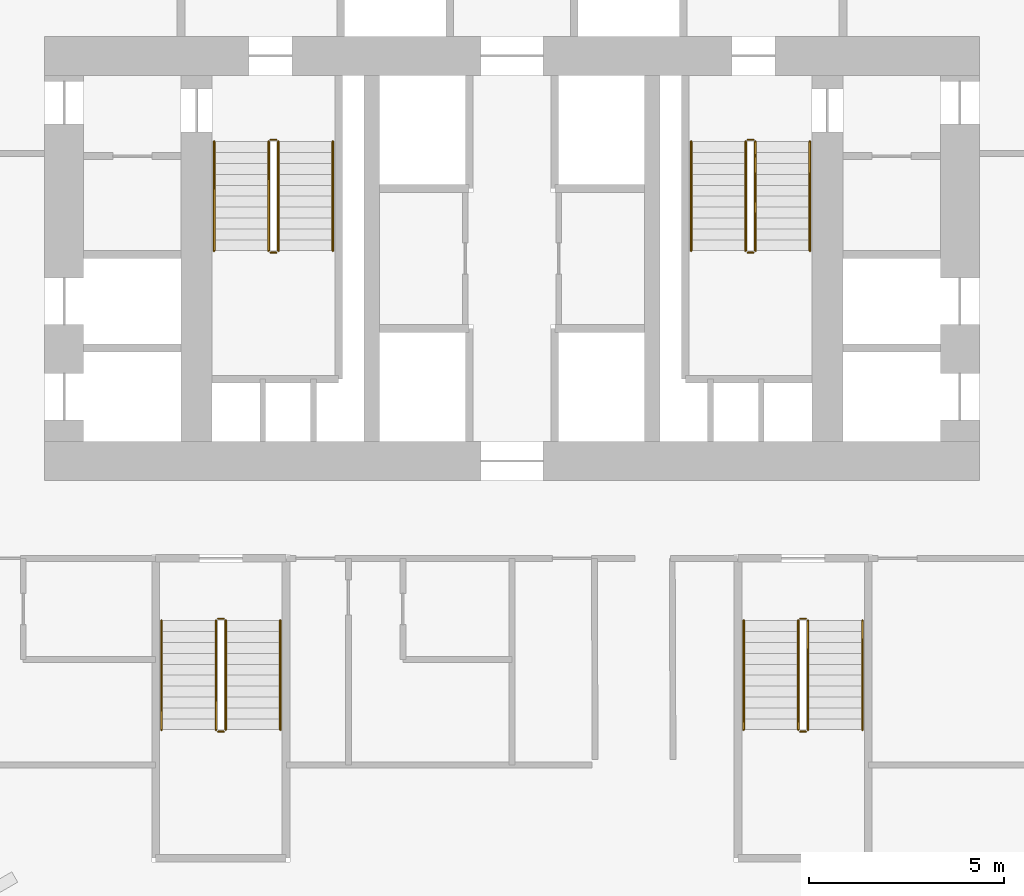
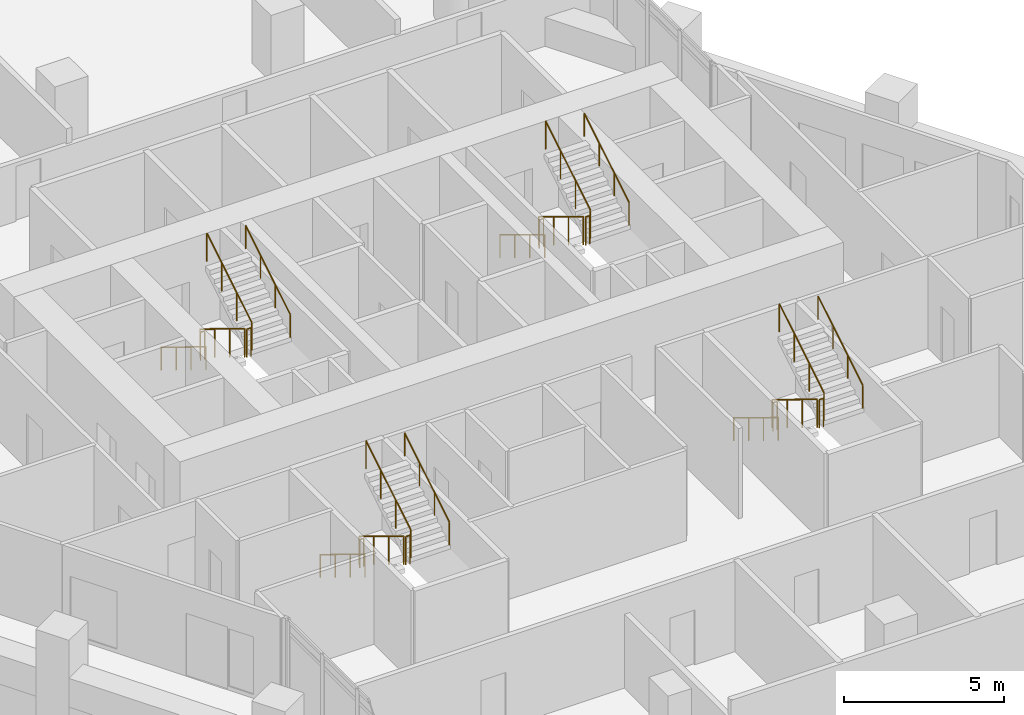
# One storey, part 37 of 37: 24 railings.
"""IFC4 building model written with IfcOpenShell, lengths in metres."""

from ifc_helpers import new_model, si_unit, direction, frame, origin, origin_2d, place, context, subcontext, project, spatial, circle, extrude, material, type_object, element, save


model = new_model("IFC4")

# Units and contexts
model_context = context("Model", 3, precision=1e-05, world=origin(), true_north=direction((0.0, 1.0)))
body_context = subcontext(model_context, "Body", "Model", "MODEL_VIEW")
ifc_project = project(units=[si_unit("LENGTHUNIT", "METRE"), si_unit("AREAUNIT", "SQUARE_METRE"), si_unit("VOLUMEUNIT", "CUBIC_METRE"), si_unit("PLANEANGLEUNIT", "RADIAN"), si_unit("MASSUNIT", "GRAM", prefix="KILO")], contexts=[model_context])

# Site, building, storey
site_placement = place(None, origin())
site = spatial("IfcSite", under=ifc_project, at=site_placement, CompositionType="ELEMENT")
building_placement = place(site_placement, origin())
building = spatial("IfcBuilding", under=site, at=building_placement, Name="Ostrander Bayou Hotel Tower", CompositionType="ELEMENT")
storey_placement = place(building_placement, frame((0.0, 0.0, 131.0)))
storey = spatial("IfcBuildingStorey", under=building, at=storey_placement, Name="L32", CompositionType="ELEMENT", Elevation=131.0)

# Railings
ifc_material_1 = material(Name="Steel ASTM A500 Gr C", Category="steel")
railing_type_1 = type_object("IfcRailingType", Name="GR1 stair guard 1100 mm steel", PredefinedType="GUARDRAIL", material=ifc_material_1)
railing_1_placement = place(storey_placement, frame((-6.25, 7.0, 0.17041015625)))
element("IfcRailing", 1, at=railing_1_placement, inside=storey, type_object=railing_type_1, Name="L32 STA stair guard 1", PredefinedType="GUARDRAIL", context=body_context, shape_type="SweptSolid", body=[
    extrude(circle(Radius=0.02392578125, at=origin_2d()), frame((0.0, 0.0, 1.076171875), z_axis=(0.0, -0.854169791009, 0.51999420009), x_axis=(1.0, 0.0, 0.0)), (0.0, 0.0, 1.0), 3.278076171875),
    extrude(circle(Radius=0.02099609375, at=origin_2d()), origin(), (0.0, 0.0, 1.0), 1.052001953125),
    extrude(circle(Radius=0.02099609375, at=origin_2d()), frame((0.0, -0.933349609375, 0.568115234375)), (0.0, 0.0, 1.0), 1.052001953125),
    extrude(circle(Radius=0.02099609375, at=origin_2d()), frame((0.0, -1.86669921875, 1.136474609375)), (0.0, 0.0, 1.0), 1.052001953125),
    extrude(circle(Radius=0.02099609375, at=origin_2d()), frame((0.0, -2.800048828125, 1.70458984375)), (0.0, 0.0, 1.0), 1.052001953125),
])
railing_2_placement = place(storey_placement, frame((-6.199951171875, 4.14990234375, 1.875)))
element("IfcRailing", 2, at=railing_2_placement, inside=storey, type_object=railing_type_1, Name="L32 STA stair guard 2", PredefinedType="GUARDRAIL", context=body_context, shape_type="SweptSolid", body=[
    extrude(circle(Radius=0.02392578125, at=origin_2d()), frame((0.0, 0.0, 1.076171875), z_axis=(1.0, 0.0, 0.0), x_axis=(0.0, 1.0, 0.0)), (0.0, 0.0, 1.0), 0.14990234375),
    extrude(circle(Radius=0.02099609375, at=origin_2d()), origin(), (0.0, 0.0, 1.0), 1.052001953125),
    extrude(circle(Radius=0.02099609375, at=origin_2d()), frame((0.14990234375, 0.0, 0.0)), (0.0, 0.0, 1.0), 1.052001953125),
])
railing_3_placement = place(storey_placement, frame((-6.0, 4.199951171875, 2.04541015625)))
element("IfcRailing", 3, at=railing_3_placement, inside=storey, type_object=railing_type_1, Name="L32 STA stair guard 3", PredefinedType="GUARDRAIL", context=body_context, shape_type="SweptSolid", body=[
    extrude(circle(Radius=0.02392578125, at=origin_2d()), frame((0.0, 0.0, 1.076171875), z_axis=(0.0, 0.854169791009, 0.51999420009), x_axis=(-1.0, 0.0, 0.0)), (0.0, 0.0, 1.0), 3.278076171875),
    extrude(circle(Radius=0.02099609375, at=origin_2d()), origin(), (0.0, 0.0, 1.0), 1.052001953125),
    extrude(circle(Radius=0.02099609375, at=origin_2d()), frame((0.0, 0.933349609375, 0.568115234375)), (0.0, 0.0, 1.0), 1.052001953125),
    extrude(circle(Radius=0.02099609375, at=origin_2d()), frame((0.0, 1.86669921875, 1.136474609375)), (0.0, 0.0, 1.0), 1.052001953125),
    extrude(circle(Radius=0.02099609375, at=origin_2d()), frame((0.0, 2.800048828125, 1.70458984375)), (0.0, 0.0, 1.0), 1.052001953125),
])
railing_4_placement = place(storey_placement, frame((-6.199951171875, 7.050048828125, 0.0)))
element("IfcRailing", 4, at=railing_4_placement, inside=storey, type_object=railing_type_1, Name="L32 STA stair guard 4", PredefinedType="GUARDRAIL", context=body_context, shape_type="SweptSolid", body=[
    extrude(circle(Radius=0.02392578125, at=origin_2d()), frame((0.0, 0.0, 1.076171875), z_axis=(1.0, 0.0, 0.0), x_axis=(0.0, 1.0, 0.0)), (0.0, 0.0, 1.0), 0.14990234375),
    extrude(circle(Radius=0.02099609375, at=origin_2d()), origin(), (0.0, 0.0, 1.0), 1.052001953125),
    extrude(circle(Radius=0.02099609375, at=origin_2d()), frame((0.14990234375, 0.0, 0.0)), (0.0, 0.0, 1.0), 1.052001953125),
])
railing_5_placement = place(storey_placement, frame((6.0, 7.0, 0.17041015625)))
element("IfcRailing", 5, at=railing_5_placement, inside=storey, type_object=railing_type_1, Name="L32 STB stair guard 1", PredefinedType="GUARDRAIL", context=body_context, shape_type="SweptSolid", body=[
    extrude(circle(Radius=0.02392578125, at=origin_2d()), frame((0.0, 0.0, 1.076171875), z_axis=(0.0, -0.854169791009, 0.51999420009), x_axis=(1.0, 0.0, 0.0)), (0.0, 0.0, 1.0), 3.278076171875),
    extrude(circle(Radius=0.02099609375, at=origin_2d()), origin(), (0.0, 0.0, 1.0), 1.052001953125),
    extrude(circle(Radius=0.02099609375, at=origin_2d()), frame((0.0, -0.933349609375, 0.568115234375)), (0.0, 0.0, 1.0), 1.052001953125),
    extrude(circle(Radius=0.02099609375, at=origin_2d()), frame((0.0, -1.86669921875, 1.136474609375)), (0.0, 0.0, 1.0), 1.052001953125),
    extrude(circle(Radius=0.02099609375, at=origin_2d()), frame((0.0, -2.800048828125, 1.70458984375)), (0.0, 0.0, 1.0), 1.052001953125),
])
railing_6_placement = place(storey_placement, frame((6.050048828125, 4.14990234375, 1.875)))
element("IfcRailing", 6, at=railing_6_placement, inside=storey, type_object=railing_type_1, Name="L32 STB stair guard 2", PredefinedType="GUARDRAIL", context=body_context, shape_type="SweptSolid", body=[
    extrude(circle(Radius=0.02392578125, at=origin_2d()), frame((0.0, 0.0, 1.076171875), z_axis=(1.0, 0.0, 0.0), x_axis=(0.0, 1.0, 0.0)), (0.0, 0.0, 1.0), 0.14990234375),
    extrude(circle(Radius=0.02099609375, at=origin_2d()), origin(), (0.0, 0.0, 1.0), 1.052001953125),
    extrude(circle(Radius=0.02099609375, at=origin_2d()), frame((0.14990234375, 0.0, 0.0)), (0.0, 0.0, 1.0), 1.052001953125),
])
railing_7_placement = place(storey_placement, frame((6.25, 4.199951171875, 2.04541015625)))
element("IfcRailing", 7, at=railing_7_placement, inside=storey, type_object=railing_type_1, Name="L32 STB stair guard 3", PredefinedType="GUARDRAIL", context=body_context, shape_type="SweptSolid", body=[
    extrude(circle(Radius=0.02392578125, at=origin_2d()), frame((0.0, 0.0, 1.076171875), z_axis=(0.0, 0.854169791009, 0.51999420009), x_axis=(-1.0, 0.0, 0.0)), (0.0, 0.0, 1.0), 3.278076171875),
    extrude(circle(Radius=0.02099609375, at=origin_2d()), origin(), (0.0, 0.0, 1.0), 1.052001953125),
    extrude(circle(Radius=0.02099609375, at=origin_2d()), frame((0.0, 0.933349609375, 0.568115234375)), (0.0, 0.0, 1.0), 1.052001953125),
    extrude(circle(Radius=0.02099609375, at=origin_2d()), frame((0.0, 1.86669921875, 1.136474609375)), (0.0, 0.0, 1.0), 1.052001953125),
    extrude(circle(Radius=0.02099609375, at=origin_2d()), frame((0.0, 2.800048828125, 1.70458984375)), (0.0, 0.0, 1.0), 1.052001953125),
])
railing_8_placement = place(storey_placement, frame((6.050048828125, 7.050048828125, 0.0)))
element("IfcRailing", 8, at=railing_8_placement, inside=storey, type_object=railing_type_1, Name="L32 STB stair guard 4", PredefinedType="GUARDRAIL", context=body_context, shape_type="SweptSolid", body=[
    extrude(circle(Radius=0.02392578125, at=origin_2d()), frame((0.0, 0.0, 1.076171875), z_axis=(1.0, 0.0, 0.0), x_axis=(0.0, 1.0, 0.0)), (0.0, 0.0, 1.0), 0.14990234375),
    extrude(circle(Radius=0.02099609375, at=origin_2d()), origin(), (0.0, 0.0, 1.0), 1.052001953125),
    extrude(circle(Radius=0.02099609375, at=origin_2d()), frame((0.14990234375, 0.0, 0.0)), (0.0, 0.0, 1.0), 1.052001953125),
])
railing_9_placement = place(storey_placement, frame((7.35009765625, -5.300048828125, 0.17041015625)))
element("IfcRailing", 9, at=railing_9_placement, inside=storey, type_object=railing_type_1, Name="L32 STC stair guard 1", PredefinedType="GUARDRAIL", context=body_context, shape_type="SweptSolid", body=[
    extrude(circle(Radius=0.02392578125, at=origin_2d()), frame((0.0, 0.0, 1.076171875), z_axis=(0.0, -0.854169791009, 0.51999420009), x_axis=(1.0, 0.0, 0.0)), (0.0, 0.0, 1.0), 3.278076171875),
    extrude(circle(Radius=0.02099609375, at=origin_2d()), origin(), (0.0, 0.0, 1.0), 1.052001953125),
    extrude(circle(Radius=0.02099609375, at=origin_2d()), frame((0.0, -0.933349609375, 0.568115234375)), (0.0, 0.0, 1.0), 1.052001953125),
    extrude(circle(Radius=0.02099609375, at=origin_2d()), frame((0.0, -1.86669921875, 1.136474609375)), (0.0, 0.0, 1.0), 1.052001953125),
    extrude(circle(Radius=0.02099609375, at=origin_2d()), frame((0.0, -2.800048828125, 1.70458984375)), (0.0, 0.0, 1.0), 1.052001953125),
])
railing_10_placement = place(storey_placement, frame((7.39990234375, -8.14990234375, 1.875)))
element("IfcRailing", 10, at=railing_10_placement, inside=storey, type_object=railing_type_1, Name="L32 STC stair guard 2", PredefinedType="GUARDRAIL", context=body_context, shape_type="SweptSolid", body=[
    extrude(circle(Radius=0.02392578125, at=origin_2d()), frame((0.0, 0.0, 1.076171875), z_axis=(1.0, 0.0, 0.0), x_axis=(0.0, 1.0, 0.0)), (0.0, 0.0, 1.0), 0.150146484375),
    extrude(circle(Radius=0.02099609375, at=origin_2d()), origin(), (0.0, 0.0, 1.0), 1.052001953125),
    extrude(circle(Radius=0.02099609375, at=origin_2d()), frame((0.150146484375, 0.0, 0.0)), (0.0, 0.0, 1.0), 1.052001953125),
])
railing_11_placement = place(storey_placement, frame((7.60009765625, -8.10009765625, 2.04541015625)))
element("IfcRailing", 11, at=railing_11_placement, inside=storey, type_object=railing_type_1, Name="L32 STC stair guard 3", PredefinedType="GUARDRAIL", context=body_context, shape_type="SweptSolid", body=[
    extrude(circle(Radius=0.02392578125, at=origin_2d()), frame((0.0, 0.0, 1.076171875), z_axis=(0.0, 0.854169791009, 0.51999420009), x_axis=(-1.0, 0.0, 0.0)), (0.0, 0.0, 1.0), 3.278076171875),
    extrude(circle(Radius=0.02099609375, at=origin_2d()), origin(), (0.0, 0.0, 1.0), 1.052001953125),
    extrude(circle(Radius=0.02099609375, at=origin_2d()), frame((0.0, 0.933349609375, 0.568115234375)), (0.0, 0.0, 1.0), 1.052001953125),
    extrude(circle(Radius=0.02099609375, at=origin_2d()), frame((0.0, 1.86669921875, 1.136474609375)), (0.0, 0.0, 1.0), 1.052001953125),
    extrude(circle(Radius=0.02099609375, at=origin_2d()), frame((0.0, 2.800048828125, 1.70458984375)), (0.0, 0.0, 1.0), 1.052001953125),
])
railing_12_placement = place(storey_placement, frame((7.39990234375, -5.25, 0.0)))
element("IfcRailing", 12, at=railing_12_placement, inside=storey, type_object=railing_type_1, Name="L32 STC stair guard 4", PredefinedType="GUARDRAIL", context=body_context, shape_type="SweptSolid", body=[
    extrude(circle(Radius=0.02392578125, at=origin_2d()), frame((0.0, 0.0, 1.076171875), z_axis=(1.0, 0.0, 0.0), x_axis=(0.0, 1.0, 0.0)), (0.0, 0.0, 1.0), 0.150146484375),
    extrude(circle(Radius=0.02099609375, at=origin_2d()), origin(), (0.0, 0.0, 1.0), 1.052001953125),
    extrude(circle(Radius=0.02099609375, at=origin_2d()), frame((0.150146484375, 0.0, 0.0)), (0.0, 0.0, 1.0), 1.052001953125),
])
railing_13_placement = place(storey_placement, frame((-7.60009765625, -5.300048828125, 0.17041015625)))
element("IfcRailing", 13, at=railing_13_placement, inside=storey, type_object=railing_type_1, Name="L32 STD stair guard 1", PredefinedType="GUARDRAIL", context=body_context, shape_type="SweptSolid", body=[
    extrude(circle(Radius=0.02392578125, at=origin_2d()), frame((0.0, 0.0, 1.076171875), z_axis=(0.0, -0.854169791009, 0.51999420009), x_axis=(1.0, 0.0, 0.0)), (0.0, 0.0, 1.0), 3.278076171875),
    extrude(circle(Radius=0.02099609375, at=origin_2d()), origin(), (0.0, 0.0, 1.0), 1.052001953125),
    extrude(circle(Radius=0.02099609375, at=origin_2d()), frame((0.0, -0.933349609375, 0.568115234375)), (0.0, 0.0, 1.0), 1.052001953125),
    extrude(circle(Radius=0.02099609375, at=origin_2d()), frame((0.0, -1.86669921875, 1.136474609375)), (0.0, 0.0, 1.0), 1.052001953125),
    extrude(circle(Radius=0.02099609375, at=origin_2d()), frame((0.0, -2.800048828125, 1.70458984375)), (0.0, 0.0, 1.0), 1.052001953125),
])
railing_14_placement = place(storey_placement, frame((-7.550048828125, -8.14990234375, 1.875)))
element("IfcRailing", 14, at=railing_14_placement, inside=storey, type_object=railing_type_1, Name="L32 STD stair guard 2", PredefinedType="GUARDRAIL", context=body_context, shape_type="SweptSolid", body=[
    extrude(circle(Radius=0.02392578125, at=origin_2d()), frame((0.0, 0.0, 1.076171875), z_axis=(1.0, 0.0, 0.0), x_axis=(0.0, 1.0, 0.0)), (0.0, 0.0, 1.0), 0.150146484375),
    extrude(circle(Radius=0.02099609375, at=origin_2d()), origin(), (0.0, 0.0, 1.0), 1.052001953125),
    extrude(circle(Radius=0.02099609375, at=origin_2d()), frame((0.150146484375, 0.0, 0.0)), (0.0, 0.0, 1.0), 1.052001953125),
])
railing_15_placement = place(storey_placement, frame((-7.35009765625, -8.10009765625, 2.04541015625)))
element("IfcRailing", 15, at=railing_15_placement, inside=storey, type_object=railing_type_1, Name="L32 STD stair guard 3", PredefinedType="GUARDRAIL", context=body_context, shape_type="SweptSolid", body=[
    extrude(circle(Radius=0.02392578125, at=origin_2d()), frame((0.0, 0.0, 1.076171875), z_axis=(0.0, 0.854169791009, 0.51999420009), x_axis=(-1.0, 0.0, 0.0)), (0.0, 0.0, 1.0), 3.278076171875),
    extrude(circle(Radius=0.02099609375, at=origin_2d()), origin(), (0.0, 0.0, 1.0), 1.052001953125),
    extrude(circle(Radius=0.02099609375, at=origin_2d()), frame((0.0, 0.933349609375, 0.568115234375)), (0.0, 0.0, 1.0), 1.052001953125),
    extrude(circle(Radius=0.02099609375, at=origin_2d()), frame((0.0, 1.86669921875, 1.136474609375)), (0.0, 0.0, 1.0), 1.052001953125),
    extrude(circle(Radius=0.02099609375, at=origin_2d()), frame((0.0, 2.800048828125, 1.70458984375)), (0.0, 0.0, 1.0), 1.052001953125),
])
railing_16_placement = place(storey_placement, frame((-7.550048828125, -5.25, 0.0)))
element("IfcRailing", 16, at=railing_16_placement, inside=storey, type_object=railing_type_1, Name="L32 STD stair guard 4", PredefinedType="GUARDRAIL", context=body_context, shape_type="SweptSolid", body=[
    extrude(circle(Radius=0.02392578125, at=origin_2d()), frame((0.0, 0.0, 1.076171875), z_axis=(1.0, 0.0, 0.0), x_axis=(0.0, 1.0, 0.0)), (0.0, 0.0, 1.0), 0.150146484375),
    extrude(circle(Radius=0.02099609375, at=origin_2d()), origin(), (0.0, 0.0, 1.0), 1.052001953125),
    extrude(circle(Radius=0.02099609375, at=origin_2d()), frame((0.150146484375, 0.0, 0.0)), (0.0, 0.0, 1.0), 1.052001953125),
])
ifc_material_2 = material(Name="Steel ASTM A500 Gr C", Category="steel")
railing_type_2 = type_object("IfcRailingType", Name="HR1 stair handrail 900 mm steel", PredefinedType="HANDRAIL", material=ifc_material_2)
railing_17_placement = place(storey_placement, frame((-7.64990234375, 7.0, 0.17041015625)))
element("IfcRailing", 17, at=railing_17_placement, inside=storey, type_object=railing_type_2, Name="L32 STA stair handrail 1", PredefinedType="HANDRAIL", context=body_context, shape_type="SweptSolid", body=[
    extrude(circle(Radius=0.02392578125, at=origin_2d()), frame((0.0, 0.0, 0.8759765625), z_axis=(0.0, -0.854169791009, 0.51999420009), x_axis=(1.0, 0.0, 0.0)), (0.0, 0.0, 1.0), 3.278076171875),
    extrude(circle(Radius=0.02099609375, at=origin_2d()), origin(), (0.0, 0.0, 1.0), 0.851806640625),
    extrude(circle(Radius=0.02099609375, at=origin_2d()), frame((0.0, -0.933349609375, 0.568115234375)), (0.0, 0.0, 1.0), 0.851806640625),
    extrude(circle(Radius=0.02099609375, at=origin_2d()), frame((0.0, -1.86669921875, 1.136474609375)), (0.0, 0.0, 1.0), 0.851806640625),
    extrude(circle(Radius=0.02099609375, at=origin_2d()), frame((0.0, -2.800048828125, 1.70458984375)), (0.0, 0.0, 1.0), 0.851806640625),
])
railing_18_placement = place(storey_placement, frame((-4.60009765625, 4.199951171875, 2.04541015625)))
element("IfcRailing", 18, at=railing_18_placement, inside=storey, type_object=railing_type_2, Name="L32 STA stair handrail 2", PredefinedType="HANDRAIL", context=body_context, shape_type="SweptSolid", body=[
    extrude(circle(Radius=0.02392578125, at=origin_2d()), frame((0.0, 0.0, 0.8759765625), z_axis=(0.0, 0.854169791009, 0.51999420009), x_axis=(-1.0, 0.0, 0.0)), (0.0, 0.0, 1.0), 3.278076171875),
    extrude(circle(Radius=0.02099609375, at=origin_2d()), origin(), (0.0, 0.0, 1.0), 0.851806640625),
    extrude(circle(Radius=0.02099609375, at=origin_2d()), frame((0.0, 0.933349609375, 0.568115234375)), (0.0, 0.0, 1.0), 0.851806640625),
    extrude(circle(Radius=0.02099609375, at=origin_2d()), frame((0.0, 1.86669921875, 1.136474609375)), (0.0, 0.0, 1.0), 0.851806640625),
    extrude(circle(Radius=0.02099609375, at=origin_2d()), frame((0.0, 2.800048828125, 1.70458984375)), (0.0, 0.0, 1.0), 0.851806640625),
])
railing_19_placement = place(storey_placement, frame((4.60009765625, 7.0, 0.17041015625)))
element("IfcRailing", 19, at=railing_19_placement, inside=storey, type_object=railing_type_2, Name="L32 STB stair handrail 1", PredefinedType="HANDRAIL", context=body_context, shape_type="SweptSolid", body=[
    extrude(circle(Radius=0.02392578125, at=origin_2d()), frame((0.0, 0.0, 0.8759765625), z_axis=(0.0, -0.854169791009, 0.51999420009), x_axis=(1.0, 0.0, 0.0)), (0.0, 0.0, 1.0), 3.278076171875),
    extrude(circle(Radius=0.02099609375, at=origin_2d()), origin(), (0.0, 0.0, 1.0), 0.851806640625),
    extrude(circle(Radius=0.02099609375, at=origin_2d()), frame((0.0, -0.933349609375, 0.568115234375)), (0.0, 0.0, 1.0), 0.851806640625),
    extrude(circle(Radius=0.02099609375, at=origin_2d()), frame((0.0, -1.86669921875, 1.136474609375)), (0.0, 0.0, 1.0), 0.851806640625),
    extrude(circle(Radius=0.02099609375, at=origin_2d()), frame((0.0, -2.800048828125, 1.70458984375)), (0.0, 0.0, 1.0), 0.851806640625),
])
railing_20_placement = place(storey_placement, frame((7.64990234375, 4.199951171875, 2.04541015625)))
element("IfcRailing", 20, at=railing_20_placement, inside=storey, type_object=railing_type_2, Name="L32 STB stair handrail 2", PredefinedType="HANDRAIL", context=body_context, shape_type="SweptSolid", body=[
    extrude(circle(Radius=0.02392578125, at=origin_2d()), frame((0.0, 0.0, 0.8759765625), z_axis=(0.0, 0.854169791009, 0.51999420009), x_axis=(-1.0, 0.0, 0.0)), (0.0, 0.0, 1.0), 3.278076171875),
    extrude(circle(Radius=0.02099609375, at=origin_2d()), origin(), (0.0, 0.0, 1.0), 0.851806640625),
    extrude(circle(Radius=0.02099609375, at=origin_2d()), frame((0.0, 0.933349609375, 0.568115234375)), (0.0, 0.0, 1.0), 0.851806640625),
    extrude(circle(Radius=0.02099609375, at=origin_2d()), frame((0.0, 1.86669921875, 1.136474609375)), (0.0, 0.0, 1.0), 0.851806640625),
    extrude(circle(Radius=0.02099609375, at=origin_2d()), frame((0.0, 2.800048828125, 1.70458984375)), (0.0, 0.0, 1.0), 0.851806640625),
])
railing_21_placement = place(storey_placement, frame((5.949951171875, -5.300048828125, 0.17041015625)))
element("IfcRailing", 21, at=railing_21_placement, inside=storey, type_object=railing_type_2, Name="L32 STC stair handrail 1", PredefinedType="HANDRAIL", context=body_context, shape_type="SweptSolid", body=[
    extrude(circle(Radius=0.02392578125, at=origin_2d()), frame((0.0, 0.0, 0.8759765625), z_axis=(0.0, -0.854169791009, 0.51999420009), x_axis=(1.0, 0.0, 0.0)), (0.0, 0.0, 1.0), 3.278076171875),
    extrude(circle(Radius=0.02099609375, at=origin_2d()), origin(), (0.0, 0.0, 1.0), 0.851806640625),
    extrude(circle(Radius=0.02099609375, at=origin_2d()), frame((0.0, -0.933349609375, 0.568115234375)), (0.0, 0.0, 1.0), 0.851806640625),
    extrude(circle(Radius=0.02099609375, at=origin_2d()), frame((0.0, -1.86669921875, 1.136474609375)), (0.0, 0.0, 1.0), 0.851806640625),
    extrude(circle(Radius=0.02099609375, at=origin_2d()), frame((0.0, -2.800048828125, 1.70458984375)), (0.0, 0.0, 1.0), 0.851806640625),
])
railing_22_placement = place(storey_placement, frame((9.0, -8.10009765625, 2.04541015625)))
element("IfcRailing", 22, at=railing_22_placement, inside=storey, type_object=railing_type_2, Name="L32 STC stair handrail 2", PredefinedType="HANDRAIL", context=body_context, shape_type="SweptSolid", body=[
    extrude(circle(Radius=0.02392578125, at=origin_2d()), frame((0.0, 0.0, 0.8759765625), z_axis=(0.0, 0.854169791009, 0.51999420009), x_axis=(-1.0, 0.0, 0.0)), (0.0, 0.0, 1.0), 3.278076171875),
    extrude(circle(Radius=0.02099609375, at=origin_2d()), origin(), (0.0, 0.0, 1.0), 0.851806640625),
    extrude(circle(Radius=0.02099609375, at=origin_2d()), frame((0.0, 0.933349609375, 0.568115234375)), (0.0, 0.0, 1.0), 0.851806640625),
    extrude(circle(Radius=0.02099609375, at=origin_2d()), frame((0.0, 1.86669921875, 1.136474609375)), (0.0, 0.0, 1.0), 0.851806640625),
    extrude(circle(Radius=0.02099609375, at=origin_2d()), frame((0.0, 2.800048828125, 1.70458984375)), (0.0, 0.0, 1.0), 0.851806640625),
])
railing_23_placement = place(storey_placement, frame((-9.0, -5.300048828125, 0.17041015625)))
element("IfcRailing", 23, at=railing_23_placement, inside=storey, type_object=railing_type_2, Name="L32 STD stair handrail 1", PredefinedType="HANDRAIL", context=body_context, shape_type="SweptSolid", body=[
    extrude(circle(Radius=0.02392578125, at=origin_2d()), frame((0.0, 0.0, 0.8759765625), z_axis=(0.0, -0.854169791009, 0.51999420009), x_axis=(1.0, 0.0, 0.0)), (0.0, 0.0, 1.0), 3.278076171875),
    extrude(circle(Radius=0.02099609375, at=origin_2d()), origin(), (0.0, 0.0, 1.0), 0.851806640625),
    extrude(circle(Radius=0.02099609375, at=origin_2d()), frame((0.0, -0.933349609375, 0.568115234375)), (0.0, 0.0, 1.0), 0.851806640625),
    extrude(circle(Radius=0.02099609375, at=origin_2d()), frame((0.0, -1.86669921875, 1.136474609375)), (0.0, 0.0, 1.0), 0.851806640625),
    extrude(circle(Radius=0.02099609375, at=origin_2d()), frame((0.0, -2.800048828125, 1.70458984375)), (0.0, 0.0, 1.0), 0.851806640625),
])
railing_24_placement = place(storey_placement, frame((-5.949951171875, -8.10009765625, 2.04541015625)))
element("IfcRailing", 24, at=railing_24_placement, inside=storey, type_object=railing_type_2, Name="L32 STD stair handrail 2", PredefinedType="HANDRAIL", context=body_context, shape_type="SweptSolid", body=[
    extrude(circle(Radius=0.02392578125, at=origin_2d()), frame((0.0, 0.0, 0.8759765625), z_axis=(0.0, 0.854169791009, 0.51999420009), x_axis=(-1.0, 0.0, 0.0)), (0.0, 0.0, 1.0), 3.278076171875),
    extrude(circle(Radius=0.02099609375, at=origin_2d()), origin(), (0.0, 0.0, 1.0), 0.851806640625),
    extrude(circle(Radius=0.02099609375, at=origin_2d()), frame((0.0, 0.933349609375, 0.568115234375)), (0.0, 0.0, 1.0), 0.851806640625),
    extrude(circle(Radius=0.02099609375, at=origin_2d()), frame((0.0, 1.86669921875, 1.136474609375)), (0.0, 0.0, 1.0), 0.851806640625),
    extrude(circle(Radius=0.02099609375, at=origin_2d()), frame((0.0, 2.800048828125, 1.70458984375)), (0.0, 0.0, 1.0), 0.851806640625),
])

save(model, "model.ifc")
